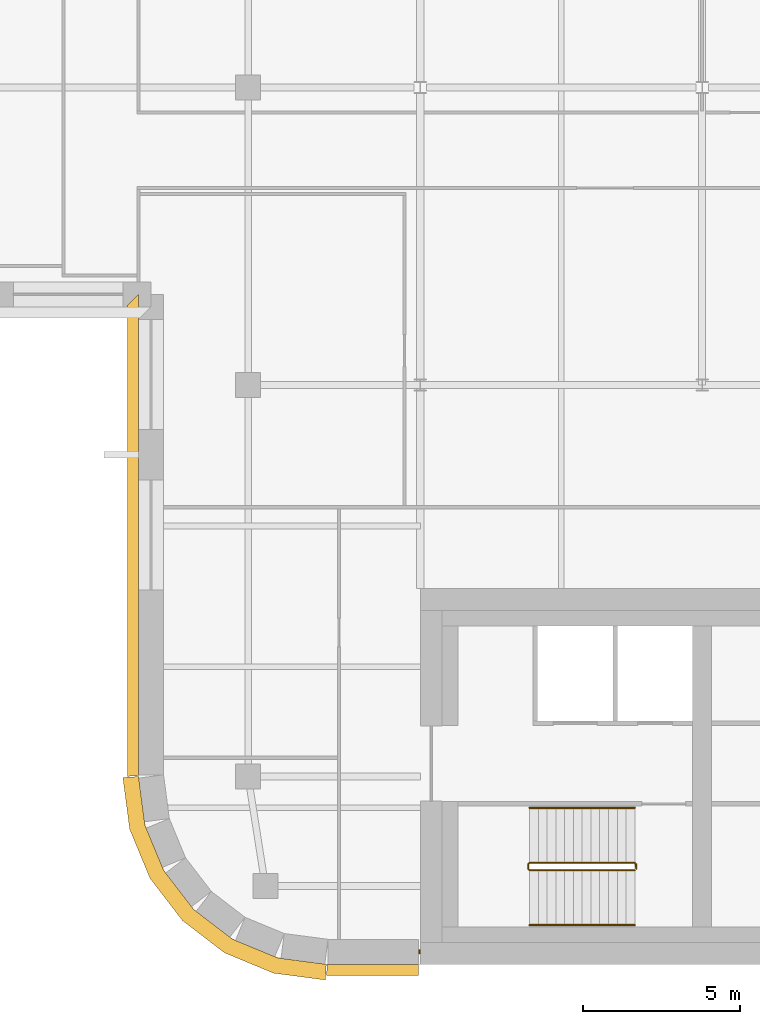
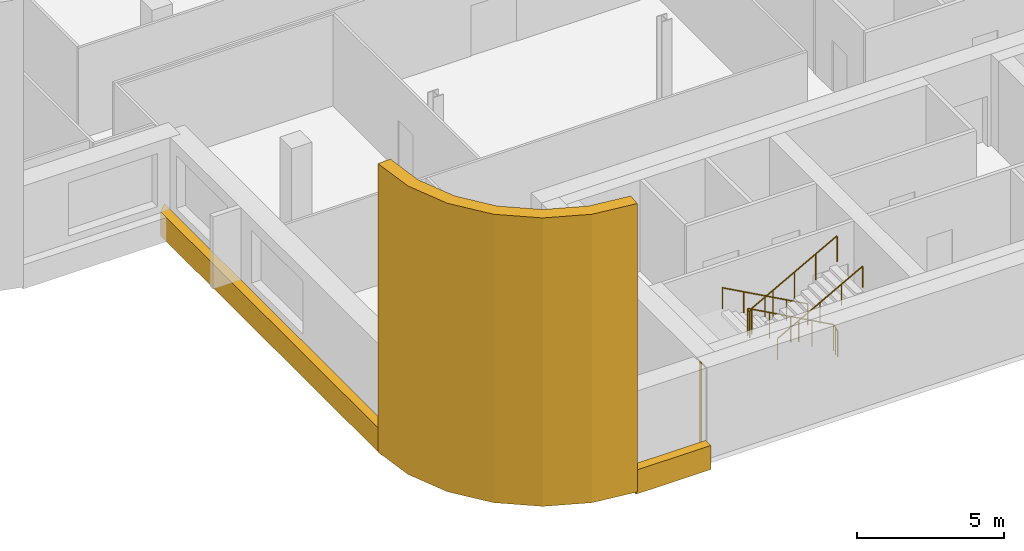
# One storey, part 13 of 16: 4 coverings, 3 railings.
"""IFC4 building model written with IfcOpenShell, lengths in metres."""

from ifc_helpers import new_model, si_unit, direction, frame, origin, origin_2d, place, context, subcontext, project, spatial, polyline, rectangle, circle, outline, extrude, material, layer, layer_set, type_object, element, save


model = new_model("IFC4")

# Units and contexts
model_context = context("Model", 3, precision=1e-05, world=origin(), true_north=direction((0.0, 1.0)))
body_context = subcontext(model_context, "Body", "Model", "MODEL_VIEW")
ifc_project = project(units=[si_unit("LENGTHUNIT", "METRE"), si_unit("AREAUNIT", "SQUARE_METRE"), si_unit("VOLUMEUNIT", "CUBIC_METRE"), si_unit("PLANEANGLEUNIT", "RADIAN"), si_unit("MASSUNIT", "GRAM", prefix="KILO")], contexts=[model_context])

# Site, building, storey
site_placement = place(None, origin())
site = spatial("IfcSite", under=ifc_project, at=site_placement, CompositionType="ELEMENT")
building_placement = place(site_placement, origin())
building = spatial("IfcBuilding", under=site, at=building_placement, Name="Zellij Exchange Tower", CompositionType="ELEMENT")
storey_placement = place(building_placement, frame((0.0, 0.0, 244.5)))
storey = spatial("IfcBuildingStorey", under=building, at=storey_placement, Name="L57", CompositionType="ELEMENT", Elevation=244.5)

# Railings
ifc_material_1 = material(Name="Stainless steel", Category="steel")
railing_type_1 = type_object("IfcRailingType", Name="CORE-RG stair guard", PredefinedType="GUARDRAIL", material=ifc_material_1)
railing_1_placement = place(storey_placement, frame((-20.10009765625, -10.800048828125, 0.0)))
element("IfcRailing", 1, at=railing_1_placement, inside=storey, type_object=railing_type_1, Name="ST1 stair guard L57", PredefinedType="GUARDRAIL", context=body_context, shape_type="SweptSolid", body=[
    extrude(circle(Radius=0.02392578125, at=origin_2d()), frame((0.0, 0.0, 1.076171875), z_axis=(0.0, -1.0, 0.0), x_axis=(1.0, 0.0, 0.0)), (0.0, 0.0, 1.0), 0.14990234375),
    extrude(circle(Radius=0.02392578125, at=origin_2d()), frame((0.0, -0.14990234375, 1.076171875), z_axis=(-0.193691321961, 0.777613689637, 0.598164376644), x_axis=(-0.970351222016, -0.241699205484, 0.0)), (0.0, 0.0, 1.0), 0.257080078125),
    extrude(circle(Radius=0.02392578125, at=origin_2d()), frame((-0.0498046875, 0.050048828125, 1.22998046875), z_axis=(-0.876421534553, 0.0, 0.481544695509), x_axis=(0.0, -1.0, 0.0)), (0.0, 0.0, 1.0), 3.833984375),
    extrude(circle(Radius=0.02392578125, at=origin_2d()), frame((-3.409912109375, 0.050048828125, 3.076171875), z_axis=(-0.707106781187, -0.707106781187, 0.0), x_axis=(0.707106781187, -0.707106781187, 0.0)), (0.0, 0.0, 1.0), 0.07080078125),
    extrude(circle(Radius=0.02392578125, at=origin_2d()), frame((-3.4599609375, 0.0, 3.076171875), z_axis=(0.0, -1.0, 0.0), x_axis=(1.0, 0.0, 0.0)), (0.0, 0.0, 1.0), 0.14990234375),
    extrude(circle(Radius=0.02392578125, at=origin_2d()), frame((-3.4599609375, -0.14990234375, 3.076171875), z_axis=(0.295599637079, -0.295599637079, 0.908428152975), x_axis=(0.707106781187, 0.707106781187, 0.0)), (0.0, 0.0, 1.0), 0.16943359375),
    extrude(circle(Radius=0.02392578125, at=origin_2d()), frame((-3.409912109375, -0.199951171875, 3.22998046875), z_axis=(0.876421534553, 0.0, 0.481544695509), x_axis=(0.0, 1.0, 0.0)), (0.0, 0.0, 1.0), 3.833984375),
    extrude(circle(Radius=0.02099609375, at=origin_2d()), origin(), (0.0, 0.0, 1.0), 1.052001953125),
    extrude(circle(Radius=0.02099609375, at=origin_2d()), frame((0.0, -0.14990234375, 0.0)), (0.0, 0.0, 1.0), 1.052001953125),
    extrude(circle(Radius=0.02099609375, at=origin_2d()), frame((-0.0498046875, 0.050048828125, 0.15380859375)), (0.0, 0.0, 1.0), 1.052001953125),
    extrude(circle(Radius=0.02099609375, at=origin_2d()), frame((-0.889892578125, 0.050048828125, 0.615234375)), (0.0, 0.0, 1.0), 1.052001953125),
    extrude(circle(Radius=0.02099609375, at=origin_2d()), frame((-1.72998046875, 0.050048828125, 1.076904296875)), (0.0, 0.0, 1.0), 1.052001953125),
    extrude(circle(Radius=0.02099609375, at=origin_2d()), frame((-2.56982421875, 0.050048828125, 1.53857421875)), (0.0, 0.0, 1.0), 1.052001953125),
    extrude(circle(Radius=0.02099609375, at=origin_2d()), frame((-3.409912109375, 0.050048828125, 2.0)), (0.0, 0.0, 1.0), 1.052001953125),
    extrude(circle(Radius=0.02099609375, at=origin_2d()), frame((-3.4599609375, 0.0, 2.0)), (0.0, 0.0, 1.0), 1.052001953125),
    extrude(circle(Radius=0.02099609375, at=origin_2d()), frame((-3.4599609375, -0.14990234375, 2.0)), (0.0, 0.0, 1.0), 1.052001953125),
    extrude(circle(Radius=0.02099609375, at=origin_2d()), frame((-3.409912109375, -0.199951171875, 2.15380859375)), (0.0, 0.0, 1.0), 1.052001953125),
    extrude(circle(Radius=0.02099609375, at=origin_2d()), frame((-2.56982421875, -0.199951171875, 2.615234375)), (0.0, 0.0, 1.0), 1.052001953125),
    extrude(circle(Radius=0.02099609375, at=origin_2d()), frame((-1.72998046875, -0.199951171875, 3.076904296875)), (0.0, 0.0, 1.0), 1.052001953125),
    extrude(circle(Radius=0.02099609375, at=origin_2d()), frame((-0.889892578125, -0.199951171875, 3.53857421875)), (0.0, 0.0, 1.0), 1.052001953125),
    extrude(circle(Radius=0.02099609375, at=origin_2d()), frame((-0.0498046875, -0.199951171875, 4.0)), (0.0, 0.0, 1.0), 1.052001953125),
])
railing_type_2 = type_object("IfcRailingType", Name="CORE-RH stair handrail", PredefinedType="HANDRAIL", material=ifc_material_1)
railing_2_placement = place(storey_placement, frame((-20.14990234375, -9.0, 0.15380859375)))
element("IfcRailing", 2, at=railing_2_placement, inside=storey, type_object=railing_type_2, Name="ST1 stair handrail L57", PredefinedType="HANDRAIL", context=body_context, shape_type="SweptSolid", body=[
    extrude(circle(Radius=0.02392578125, at=origin_2d()), frame((0.0, 0.0, 0.8759765625), z_axis=(-0.876421534553, 0.0, 0.481544695509), x_axis=(0.0, -1.0, 0.0)), (0.0, 0.0, 1.0), 3.833984375),
    extrude(circle(Radius=0.02099609375, at=origin_2d()), origin(), (0.0, 0.0, 1.0), 0.851806640625),
    extrude(circle(Radius=0.02099609375, at=origin_2d()), frame((-0.840087890625, 0.0, 0.46142578125)), (0.0, 0.0, 1.0), 0.851806640625),
    extrude(circle(Radius=0.02099609375, at=origin_2d()), frame((-1.68017578125, 0.0, 0.923095703125)), (0.0, 0.0, 1.0), 0.851806640625),
    extrude(circle(Radius=0.02099609375, at=origin_2d()), frame((-2.52001953125, 0.0, 1.384765625)), (0.0, 0.0, 1.0), 0.851806640625),
    extrude(circle(Radius=0.02099609375, at=origin_2d()), frame((-3.360107421875, 0.0, 1.84619140625)), (0.0, 0.0, 1.0), 0.851806640625),
])
railing_3_placement = place(storey_placement, frame((-23.510009765625, -12.75, 2.15380859375)))
element("IfcRailing", 3, at=railing_3_placement, inside=storey, type_object=railing_type_2, Name="ST1 stair handrail L57", PredefinedType="HANDRAIL", context=body_context, shape_type="SweptSolid", body=[
    extrude(circle(Radius=0.02392578125, at=origin_2d()), frame((0.0, 0.0, 0.8759765625), z_axis=(0.876421534553, 0.0, 0.481544695509), x_axis=(0.0, 1.0, 0.0)), (0.0, 0.0, 1.0), 3.833984375),
    extrude(circle(Radius=0.02099609375, at=origin_2d()), origin(), (0.0, 0.0, 1.0), 0.851806640625),
    extrude(circle(Radius=0.02099609375, at=origin_2d()), frame((0.840087890625, 0.0, 0.46142578125)), (0.0, 0.0, 1.0), 0.851806640625),
    extrude(circle(Radius=0.02099609375, at=origin_2d()), frame((1.68017578125, 0.0, 0.923095703125)), (0.0, 0.0, 1.0), 0.851806640625),
    extrude(circle(Radius=0.02099609375, at=origin_2d()), frame((2.52001953125, 0.0, 1.384765625)), (0.0, 0.0, 1.0), 0.851806640625),
    extrude(circle(Radius=0.02099609375, at=origin_2d()), frame((3.360107421875, 0.0, 1.84619140625)), (0.0, 0.0, 1.0), 0.851806640625),
])

# Coverings
ifc_material_2 = material(Name="Limestone cladding", Category="masonry")
ifc_layer_1 = layer(ifc_material_2, 0.35009765625)
ifc_layer_set_1 = layer_set([ifc_layer_1], Name="Limestone cladding")
covering_type_1 = type_object("IfcCoveringType", Name="ENV-CV10 Stone spandrel band 350", PredefinedType="CLADDING", material=ifc_layer_set_1)
covering_1_placement = place(storey_placement, frame((0.0, 0.0, -0.199951171875)))
element("IfcCovering", 4, at=covering_1_placement, inside=storey, type_object=covering_type_1, Name="Stone spandrel band", PredefinedType="CLADDING", context=body_context, shape_type="SweptSolid", body=[
    extrude(outline(polyline([(-29.973876953125, -14.0), (-27.050048828125, -14.0), (-27.050048828125, -14.35009765625), (-29.99658203125, -14.35009765625), (-29.973876953125, -14.0)])), origin(), (0.0, 0.0, 1.0), 1.0),
])
covering_2_placement = place(storey_placement, frame((0.0, 0.0, -0.199951171875)))
element("IfcCovering", 5, at=covering_2_placement, inside=storey, type_object=covering_type_1, Name="Stone spandrel band", PredefinedType="CLADDING", context=body_context, shape_type="SweptSolid", body=[
    extrude(outline(polyline([(-36.0, 7.39990234375), (-36.0, -7.973876953125), (-36.35009765625, -7.99658203125), (-36.35009765625, 7.050048828125), (-36.0, 7.39990234375)])), origin(), (0.0, 0.0, 1.0), 1.0),
])
ifc_layer_2 = layer(ifc_material_2, 0.5)
ifc_layer_set_2 = layer_set([ifc_layer_2], Name="Limestone cladding")
covering_type_2 = type_object("IfcCoveringType", Name="ENV-CV12 Stone corner pier 500", PredefinedType="CLADDING", material=ifc_layer_set_2)
covering_3_placement = place(storey_placement, origin())
element("IfcCovering", 6, at=covering_3_placement, inside=storey, type_object=covering_type_2, Name="Stone corner pier", PredefinedType="CLADDING", context=body_context, shape_type="SweptSolid", body=[
    extrude(outline(polyline([(-36.0, -8.0), (-35.795654296875, -9.552978515625), (-35.1962890625, -11.0), (-34.24267578125, -12.24267578125), (-33.0, -13.1962890625), (-31.552978515625, -13.795654296875), (-30.0, -14.0), (-30.03271484375, -14.5), (-31.683349609375, -14.28271484375), (-33.252197265625, -13.6328125), (-34.59912109375, -12.59912109375), (-35.6328125, -11.252197265625), (-36.28271484375, -9.683349609375), (-36.5, -8.03271484375), (-36.0, -8.0)])), origin(), (0.0, 0.0, 1.0), 12.0),
])
ifc_layer_3 = layer(ifc_material_2, 0.1201171875)
ifc_layer_set_3 = layer_set([ifc_layer_3], Name="Limestone cladding")
covering_type_3 = type_object("IfcCoveringType", Name="ENV-CV18 Glazing closer 120", PredefinedType="CLADDING", material=ifc_layer_set_3)
covering_4_placement = place(storey_placement, frame((-27.02490234375, -13.60009765625, 0.0), z_axis=(0.0, 0.0, 1.0), x_axis=(1.0, 0.0, 0.0)))
element("IfcCovering", 7, at=covering_4_placement, inside=storey, type_object=covering_type_3, Name="Glazing closer", PredefinedType="CLADDING", context=body_context, shape_type="SweptSolid", body=[
    extrude(rectangle(XDim=0.050048828125, YDim=0.1201171875, at=origin_2d()), origin(), (0.0, 0.0, 1.0), 3.800048828125),
])

save(model, "model.ifc")
